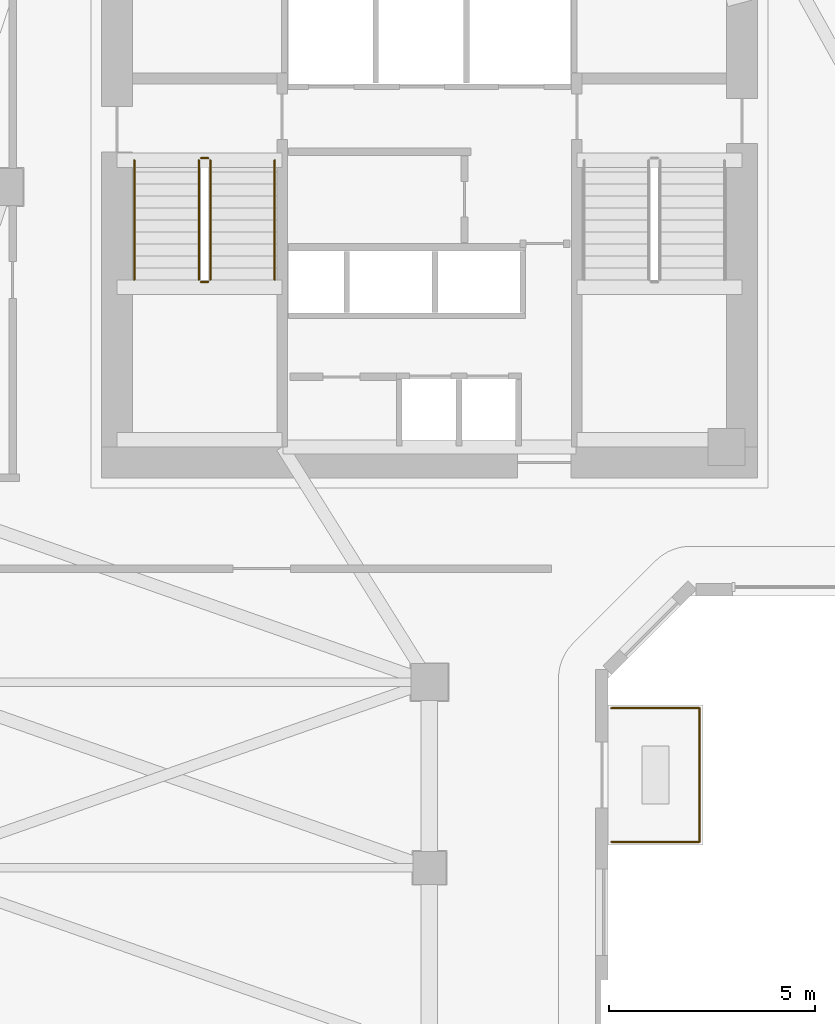
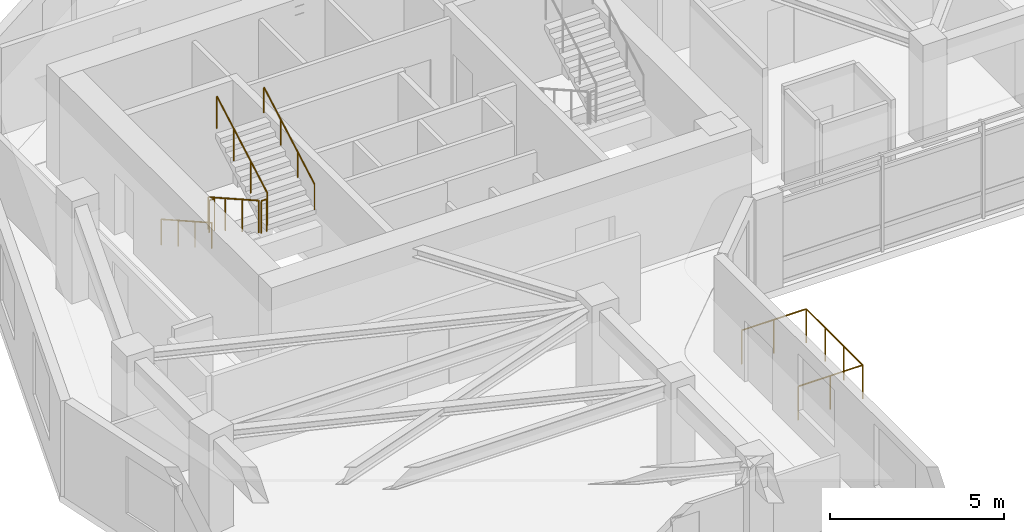
# One storey, part 8 of 10: 9 railings.
"""IFC4 building model written with IfcOpenShell, lengths in metres."""

from ifc_helpers import new_model, si_unit, direction, frame, origin, origin_2d, place, context, subcontext, project, spatial, circle, extrude, material, type_object, element, save


model = new_model("IFC4")

# Units and contexts
model_context = context("Model", 3, precision=1e-05, world=origin(), true_north=direction((0.0, 1.0)))
body_context = subcontext(model_context, "Body", "Model", "MODEL_VIEW")
ifc_project = project(units=[si_unit("LENGTHUNIT", "METRE"), si_unit("AREAUNIT", "SQUARE_METRE"), si_unit("VOLUMEUNIT", "CUBIC_METRE"), si_unit("PLANEANGLEUNIT", "RADIAN"), si_unit("MASSUNIT", "GRAM", prefix="KILO")], contexts=[model_context])

# Site, building, storey
site_placement = place(None, origin())
site = spatial("IfcSite", under=ifc_project, at=site_placement, CompositionType="ELEMENT")
building_placement = place(site_placement, origin())
building = spatial("IfcBuilding", under=site, at=building_placement, Name="Calvemar Wedge Station Tower", CompositionType="ELEMENT")
storey_placement = place(building_placement, frame((0.0, 0.0, 153.800048828125)))
storey = spatial("IfcBuildingStorey", under=building, at=storey_placement, Name="L38", CompositionType="ELEMENT", Elevation=153.800048828125)

# Railings
ifc_material_1 = material(Name="Stainless steel AISI 316L", Category="steel")
railing_type_1 = type_object("IfcRailingType", Name="GRD-TERR-1200", PredefinedType="GUARDRAIL", material=ifc_material_1)
railing_1_placement = place(storey_placement, frame((28.2080078125, 27.8701171875, 0.0)))
element("IfcRailing", 1, at=railing_1_placement, inside=storey, type_object=railing_type_1, Name="Storey L38 Spiral Terrace Guard 2", PredefinedType="GUARDRAIL", context=body_context, shape_type="SweptSolid", body=[
    extrude(circle(Radius=0.02392578125, at=origin_2d()), frame((0.0, 0.0, 1.17578125), z_axis=(1.0, 0.0, 0.0), x_axis=(0.0, 1.0, 0.0)), (0.0, 0.0, 1.0), 2.139892578125),
    extrude(circle(Radius=0.02099609375, at=origin_2d()), origin(), (0.0, 0.0, 1.0), 1.15185546875),
    extrude(circle(Radius=0.02099609375, at=origin_2d()), frame((1.06982421875, 0.0, 0.0)), (0.0, 0.0, 1.0), 1.15185546875),
    extrude(circle(Radius=0.02099609375, at=origin_2d()), frame((2.139892578125, 0.0, 0.0)), (0.0, 0.0, 1.0), 1.15185546875),
])
railing_2_placement = place(storey_placement, frame((30.347900390625, 27.8701171875, 0.0)))
element("IfcRailing", 2, at=railing_2_placement, inside=storey, type_object=railing_type_1, Name="Storey L38 Spiral Terrace Guard 3", PredefinedType="GUARDRAIL", context=body_context, shape_type="SweptSolid", body=[
    extrude(circle(Radius=0.02392578125, at=origin_2d()), frame((0.0, 0.0, 1.17578125), z_axis=(0.0, -1.0, 0.0), x_axis=(1.0, 0.0, 0.0)), (0.0, 0.0, 1.0), 3.240234375),
    extrude(circle(Radius=0.02099609375, at=origin_2d()), origin(), (0.0, 0.0, 1.0), 1.15185546875),
    extrude(circle(Radius=0.02099609375, at=origin_2d()), frame((0.0, -1.080078125, 0.0)), (0.0, 0.0, 1.0), 1.15185546875),
    extrude(circle(Radius=0.02099609375, at=origin_2d()), frame((0.0, -2.16015625, 0.0)), (0.0, 0.0, 1.0), 1.15185546875),
    extrude(circle(Radius=0.02099609375, at=origin_2d()), frame((0.0, -3.240234375, 0.0)), (0.0, 0.0, 1.0), 1.15185546875),
])
railing_3_placement = place(storey_placement, frame((30.347900390625, 24.6298828125, 0.0)))
element("IfcRailing", 3, at=railing_3_placement, inside=storey, type_object=railing_type_1, Name="Storey L38 Spiral Terrace Guard 4", PredefinedType="GUARDRAIL", context=body_context, shape_type="SweptSolid", body=[
    extrude(circle(Radius=0.02392578125, at=origin_2d()), frame((0.0, 0.0, 1.17578125), z_axis=(-1.0, 0.0, 0.0), x_axis=(0.0, -1.0, 0.0)), (0.0, 0.0, 1.0), 2.139892578125),
    extrude(circle(Radius=0.02099609375, at=origin_2d()), origin(), (0.0, 0.0, 1.0), 1.15185546875),
    extrude(circle(Radius=0.02099609375, at=origin_2d()), frame((-1.06982421875, 0.0, 0.0)), (0.0, 0.0, 1.0), 1.15185546875),
    extrude(circle(Radius=0.02099609375, at=origin_2d()), frame((-2.139892578125, 0.0, 0.0)), (0.0, 0.0, 1.0), 1.15185546875),
])
railing_type_2 = type_object("IfcRailingType", Name="RL-HANDRAIL-920", PredefinedType="HANDRAIL", material=ifc_material_1)
railing_4_placement = place(storey_placement, frame((16.64990234375, 41.14990234375, 0.16357421875)))
element("IfcRailing", 4, at=railing_4_placement, inside=storey, type_object=railing_type_2, Name="L38 ST-C1 stair handrail 1", PredefinedType="HANDRAIL", context=body_context, shape_type="SweptSolid", body=[
    extrude(circle(Radius=0.02392578125, at=origin_2d()), frame((0.0, 0.0, 0.89599609375), z_axis=(0.0, -0.870897200241, 0.491465224214), x_axis=(1.0, 0.0, 0.0)), (0.0, 0.0, 1.0), 3.329833984375),
    extrude(circle(Radius=0.02099609375, at=origin_2d()), origin(), (0.0, 0.0, 1.0), 0.871826171875),
    extrude(circle(Radius=0.02099609375, at=origin_2d()), frame((0.0, -0.966552734375, 0.54541015625)), (0.0, 0.0, 1.0), 0.871826171875),
    extrude(circle(Radius=0.02099609375, at=origin_2d()), frame((0.0, -1.933349609375, 1.091064453125)), (0.0, 0.0, 1.0), 0.871826171875),
    extrude(circle(Radius=0.02099609375, at=origin_2d()), frame((0.0, -2.89990234375, 1.636474609375)), (0.0, 0.0, 1.0), 0.871826171875),
])
railing_5_placement = place(storey_placement, frame((20.050048828125, 38.25, 1.963623046875)))
element("IfcRailing", 5, at=railing_5_placement, inside=storey, type_object=railing_type_2, Name="L38 ST-C1 stair handrail 2", PredefinedType="HANDRAIL", context=body_context, shape_type="SweptSolid", body=[
    extrude(circle(Radius=0.02392578125, at=origin_2d()), frame((0.0, 0.0, 0.89599609375), z_axis=(0.0, 0.870928581787, 0.491409610636), x_axis=(-1.0, 0.0, 0.0)), (0.0, 0.0, 1.0), 3.32958984375),
    extrude(circle(Radius=0.02099609375, at=origin_2d()), origin(), (0.0, 0.0, 1.0), 0.871826171875),
    extrude(circle(Radius=0.02099609375, at=origin_2d()), frame((0.0, 0.966552734375, 0.54541015625)), (0.0, 0.0, 1.0), 0.871826171875),
    extrude(circle(Radius=0.02099609375, at=origin_2d()), frame((0.0, 1.933349609375, 1.0908203125)), (0.0, 0.0, 1.0), 0.871826171875),
    extrude(circle(Radius=0.02099609375, at=origin_2d()), frame((0.0, 2.89990234375, 1.63623046875)), (0.0, 0.0, 1.0), 0.871826171875),
])
ifc_material_2 = material(Name="Painted steel guardrail ASTM A500 Grade C", Category="steel")
railing_type_3 = type_object("IfcRailingType", Name="RL-STAIR-GUARD-1150", PredefinedType="GUARDRAIL", material=ifc_material_2)
railing_6_placement = place(storey_placement, frame((18.2099609375, 41.14990234375, 0.16357421875)))
element("IfcRailing", 6, at=railing_6_placement, inside=storey, type_object=railing_type_3, Name="L38 ST-C1 stair guard 1", PredefinedType="GUARDRAIL", context=body_context, shape_type="SweptSolid", body=[
    extrude(circle(Radius=0.02392578125, at=origin_2d()), frame((0.0, 0.0, 1.1259765625), z_axis=(0.0, -0.870897200241, 0.491465224214), x_axis=(1.0, 0.0, 0.0)), (0.0, 0.0, 1.0), 3.329833984375),
    extrude(circle(Radius=0.02099609375, at=origin_2d()), origin(), (0.0, 0.0, 1.0), 1.101806640625),
    extrude(circle(Radius=0.02099609375, at=origin_2d()), frame((0.0, -0.966552734375, 0.54541015625)), (0.0, 0.0, 1.0), 1.101806640625),
    extrude(circle(Radius=0.02099609375, at=origin_2d()), frame((0.0, -1.933349609375, 1.091064453125)), (0.0, 0.0, 1.0), 1.101806640625),
    extrude(circle(Radius=0.02099609375, at=origin_2d()), frame((0.0, -2.89990234375, 1.636474609375)), (0.0, 0.0, 1.0), 1.101806640625),
])
railing_7_placement = place(storey_placement, frame((18.260009765625, 38.199951171875, 1.800048828125)))
element("IfcRailing", 7, at=railing_7_placement, inside=storey, type_object=railing_type_3, Name="L38 ST-C1 stair guard 2", PredefinedType="GUARDRAIL", context=body_context, shape_type="SweptSolid", body=[
    extrude(circle(Radius=0.02392578125, at=origin_2d()), frame((0.0, 0.0, 1.1259765625), z_axis=(1.0, 0.0, 0.0), x_axis=(0.0, 1.0, 0.0)), (0.0, 0.0, 1.0), 0.179931640625),
    extrude(circle(Radius=0.02099609375, at=origin_2d()), origin(), (0.0, 0.0, 1.0), 1.101806640625),
    extrude(circle(Radius=0.02099609375, at=origin_2d()), frame((0.179931640625, 0.0, 0.0)), (0.0, 0.0, 1.0), 1.101806640625),
])
railing_8_placement = place(storey_placement, frame((18.489990234375, 38.25, 1.963623046875)))
element("IfcRailing", 8, at=railing_8_placement, inside=storey, type_object=railing_type_3, Name="L38 ST-C1 stair guard 3", PredefinedType="GUARDRAIL", context=body_context, shape_type="SweptSolid", body=[
    extrude(circle(Radius=0.02392578125, at=origin_2d()), frame((0.0, 0.0, 1.1259765625), z_axis=(0.0, 0.870928581787, 0.491409610636), x_axis=(-1.0, 0.0, 0.0)), (0.0, 0.0, 1.0), 3.32958984375),
    extrude(circle(Radius=0.02099609375, at=origin_2d()), origin(), (0.0, 0.0, 1.0), 1.101806640625),
    extrude(circle(Radius=0.02099609375, at=origin_2d()), frame((0.0, 0.966552734375, 0.54541015625)), (0.0, 0.0, 1.0), 1.101806640625),
    extrude(circle(Radius=0.02099609375, at=origin_2d()), frame((0.0, 1.933349609375, 1.0908203125)), (0.0, 0.0, 1.0), 1.101806640625),
    extrude(circle(Radius=0.02099609375, at=origin_2d()), frame((0.0, 2.89990234375, 1.63623046875)), (0.0, 0.0, 1.0), 1.101806640625),
])
railing_9_placement = place(storey_placement, frame((18.260009765625, 41.199951171875, 0.0)))
element("IfcRailing", 9, at=railing_9_placement, inside=storey, type_object=railing_type_3, Name="L38 ST-C1 stair guard 4", PredefinedType="GUARDRAIL", context=body_context, shape_type="SweptSolid", body=[
    extrude(circle(Radius=0.02392578125, at=origin_2d()), frame((0.0, 0.0, 1.1259765625), z_axis=(1.0, 0.0, 0.0), x_axis=(0.0, 1.0, 0.0)), (0.0, 0.0, 1.0), 0.179931640625),
    extrude(circle(Radius=0.02099609375, at=origin_2d()), origin(), (0.0, 0.0, 1.0), 1.101806640625),
    extrude(circle(Radius=0.02099609375, at=origin_2d()), frame((0.179931640625, 0.0, 0.0)), (0.0, 0.0, 1.0), 1.101806640625),
])

save(model, "model.ifc")
